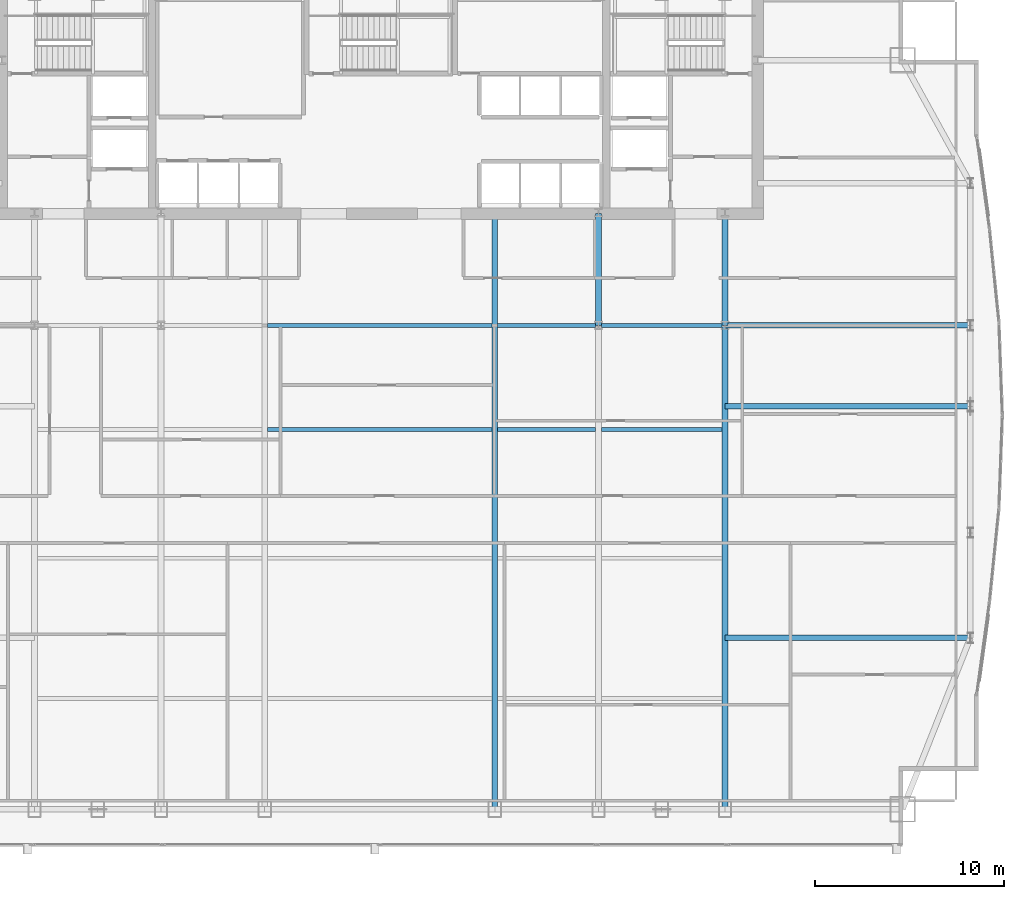
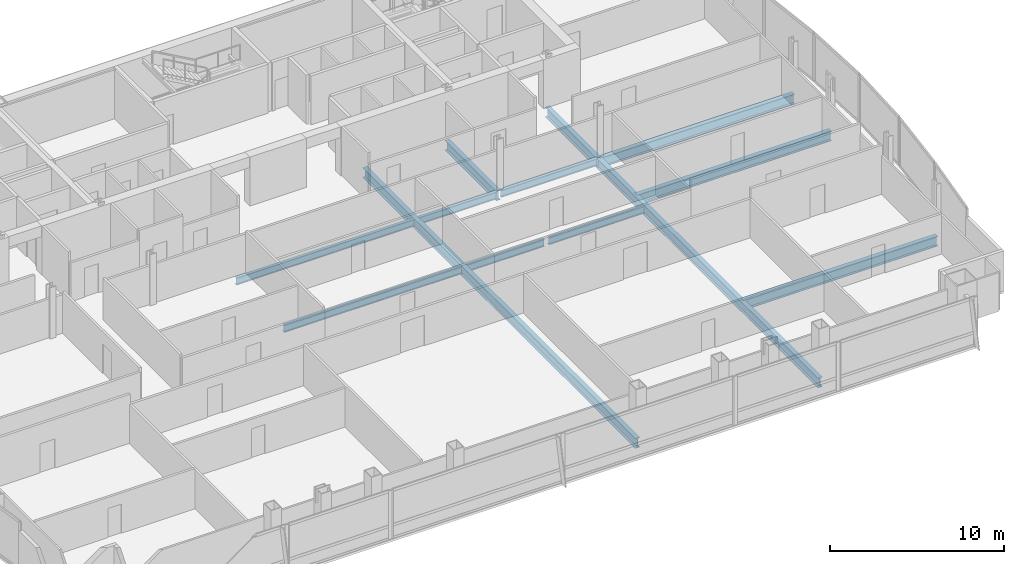
# One storey, part 16 of 29: 13 beams.
"""IFC4 building model written with IfcOpenShell, lengths in metres."""

from ifc_helpers import new_model, si_unit, direction, frame, origin, origin_2d, place, context, subcontext, project, spatial, i_section, extrude, material, material_profile, profile_set, type_object, element, save


model = new_model("IFC4")

# Units and contexts
model_context = context("Model", 3, precision=1e-05, world=origin(), true_north=direction((0.0, 1.0)))
body_context = subcontext(model_context, "Body", "Model", "MODEL_VIEW")
ifc_project = project(units=[si_unit("LENGTHUNIT", "METRE"), si_unit("AREAUNIT", "SQUARE_METRE"), si_unit("VOLUMEUNIT", "CUBIC_METRE"), si_unit("PLANEANGLEUNIT", "RADIAN"), si_unit("MASSUNIT", "GRAM", prefix="KILO")], contexts=[model_context])

# Site, building, storey
site_placement = place(None, origin())
site = spatial("IfcSite", under=ifc_project, at=site_placement, CompositionType="ELEMENT")
building_placement = place(site_placement, origin())
building = spatial("IfcBuilding", under=site, at=building_placement, Name="Khoronbel Lancet Exchange", CompositionType="ELEMENT")
storey_placement = place(building_placement, frame((0.0, 0.0, 177.0)))
storey = spatial("IfcBuildingStorey", under=building, at=storey_placement, Name="L44", CompositionType="ELEMENT", Elevation=177.0)

# Beams
ifc_material = material(Name="Steel S355", Category="steel")
ifc_material_profile_1 = material_profile(ifc_material, i_section(OverallWidth=0.300048828125, OverallDepth=0.699951171875, WebThickness=0.01708984375, FlangeThickness=0.031982421875, at=origin_2d()), Name="HEB 700")
ifc_profile_set_1 = profile_set([ifc_material_profile_1], Name="Steel S355")
beam_type_1 = type_object("IfcBeamType", Name="BM-BG3", PredefinedType="BEAM", material=ifc_profile_set_1)
beam_1_placement = place(storey_placement, frame((42.52490234375, 10.14990234375, -0.510009765625), z_axis=(0.0, 1.0, 0.0), x_axis=(-1.0, 0.0, 0.0)))
element("IfcBeam", 1, at=beam_1_placement, inside=storey, type_object=beam_type_1, Name="Level L44 primary floor girder G4", PredefinedType="BEAM", context=body_context, shape_type="SweptSolid", body=[
    extrude(i_section(OverallWidth=0.300048828125, OverallDepth=0.699951171875, WebThickness=0.01708984375, FlangeThickness=0.031982421875, at=origin_2d()), origin(), (0.0, 0.0, 1.0), 31.4501953125),
])
beam_2_placement = place(storey_placement, frame((48.0, 35.699951171875, -0.510009765625), z_axis=(0.0, 1.0, 0.0), x_axis=(-1.0, 0.0, 0.0)))
element("IfcBeam", 2, at=beam_2_placement, inside=storey, type_object=beam_type_1, Name="Level L44 spine tie girder GN5", PredefinedType="BEAM", context=body_context, shape_type="SweptSolid", body=[
    extrude(i_section(OverallWidth=0.300048828125, OverallDepth=0.699951171875, WebThickness=0.01708984375, FlangeThickness=0.031982421875, at=origin_2d()), origin(), (0.0, 0.0, 1.0), 5.900146484375),
])
beam_3_placement = place(storey_placement, frame((54.675048828125, 10.14990234375, -0.510009765625), z_axis=(0.0, 1.0, 0.0), x_axis=(-1.0, 0.0, 0.0)))
element("IfcBeam", 3, at=beam_3_placement, inside=storey, type_object=beam_type_1, Name="Level L44 south primary girder GS6", PredefinedType="BEAM", context=body_context, shape_type="SweptSolid", body=[
    extrude(i_section(OverallWidth=0.300048828125, OverallDepth=0.699951171875, WebThickness=0.01708984375, FlangeThickness=0.031982421875, at=origin_2d()), origin(), (0.0, 0.0, 1.0), 25.550048828125),
])
beam_4_placement = place(storey_placement, frame((54.675048828125, 35.699951171875, -0.510009765625), z_axis=(0.0, 1.0, 0.0), x_axis=(-1.0, 0.0, 0.0)))
element("IfcBeam", 4, at=beam_4_placement, inside=storey, type_object=beam_type_1, Name="Level L44 spine tie girder GN6", PredefinedType="BEAM", context=body_context, shape_type="SweptSolid", body=[
    extrude(i_section(OverallWidth=0.300048828125, OverallDepth=0.699951171875, WebThickness=0.01708984375, FlangeThickness=0.031982421875, at=origin_2d()), origin(), (0.0, 0.0, 1.0), 5.900146484375),
])
for number, where, z_axis, x_axis, name in (
    (5, (54.675048828125, 19.199951171875, -0.510009765625), (1.0, 0.0, 0.0), (0.0, 1.0, 0.0), "Level L44 east lens tie girder LG1E"),
    (6, (54.675048828125, 31.425048828125, -0.510009765625), (1.0, 0.0, 0.0), (0.0, 1.0, 0.0), "Level L44 east lens tie girder LG2E"),
    (7, (54.675048828125, 35.699951171875, -0.510009765625), (1.0, 0.0, 0.0), (0.0, 1.0, 0.0), "Level L44 east lens tie girder LG4E"),
):
    element("IfcBeam", number, at=place(storey_placement, frame(where, z_axis=z_axis, x_axis=x_axis)), inside=storey, type_object=beam_type_1, Name=name, PredefinedType="BEAM", context=body_context, shape_type="SweptSolid", body=[
        extrude(i_section(OverallWidth=0.300048828125, OverallDepth=0.699951171875, WebThickness=0.01708984375, FlangeThickness=0.031982421875, at=origin_2d()), origin(), (0.0, 0.0, 1.0), 12.954833984375),
    ])
ifc_material_profile_2 = material_profile(ifc_material, i_section(OverallWidth=0.199951171875, OverallDepth=0.5, WebThickness=0.01025390625, FlangeThickness=0.01611328125, at=origin_2d()), Name="IPE 500")
ifc_profile_set_2 = profile_set([ifc_material_profile_2], Name="Steel S355")
beam_type_2 = type_object("IfcBeamType", Name="BM-BJ3", PredefinedType="JOIST", material=ifc_profile_set_2)
beam_5_placement = place(storey_placement, frame((30.52490234375, 30.199951171875, -0.409912109375), z_axis=(1.0, 0.0, 0.0), x_axis=(0.0, 1.0, 0.0)))
element("IfcBeam", 8, at=beam_5_placement, inside=storey, type_object=beam_type_2, Name="Level L44 secondary composite joist J13", PredefinedType="JOIST", context=body_context, shape_type="SweptSolid", body=[
    extrude(i_section(OverallWidth=0.199951171875, OverallDepth=0.5, WebThickness=0.01025390625, FlangeThickness=0.01611328125, at=origin_2d()), origin(), (0.0, 0.0, 1.0), 11.85009765625),
])
beam_6_placement = place(storey_placement, frame((42.675048828125, 30.199951171875, -0.409912109375), z_axis=(1.0, 0.0, 0.0), x_axis=(0.0, 1.0, 0.0)))
element("IfcBeam", 9, at=beam_6_placement, inside=storey, type_object=beam_type_2, Name="Level L44 secondary composite joist J14", PredefinedType="JOIST", context=body_context, shape_type="SweptSolid", body=[
    extrude(i_section(OverallWidth=0.199951171875, OverallDepth=0.5, WebThickness=0.01025390625, FlangeThickness=0.01611328125, at=origin_2d()), origin(), (0.0, 0.0, 1.0), 5.175048828125),
])
beam_7_placement = place(storey_placement, frame((48.14990234375, 30.199951171875, -0.409912109375), z_axis=(1.0, 0.0, 0.0), x_axis=(0.0, 1.0, 0.0)))
element("IfcBeam", 10, at=beam_7_placement, inside=storey, type_object=beam_type_2, Name="Level L44 secondary composite joist J15", PredefinedType="JOIST", context=body_context, shape_type="SweptSolid", body=[
    extrude(i_section(OverallWidth=0.199951171875, OverallDepth=0.5, WebThickness=0.01025390625, FlangeThickness=0.01611328125, at=origin_2d()), origin(), (0.0, 0.0, 1.0), 6.375),
])
beam_8_placement = place(storey_placement, frame((30.52490234375, 35.699951171875, -0.409912109375), z_axis=(1.0, 0.0, 0.0), x_axis=(0.0, 1.0, 0.0)))
element("IfcBeam", 11, at=beam_8_placement, inside=storey, type_object=beam_type_2, Name="Level L44 secondary composite joist J18", PredefinedType="JOIST", context=body_context, shape_type="SweptSolid", body=[
    extrude(i_section(OverallWidth=0.199951171875, OverallDepth=0.5, WebThickness=0.01025390625, FlangeThickness=0.01611328125, at=origin_2d()), origin(), (0.0, 0.0, 1.0), 11.85009765625),
])
beam_9_placement = place(storey_placement, frame((42.675048828125, 35.699951171875, -0.409912109375), z_axis=(1.0, 0.0, 0.0), x_axis=(0.0, 1.0, 0.0)))
element("IfcBeam", 12, at=beam_9_placement, inside=storey, type_object=beam_type_2, Name="Level L44 secondary composite joist J19", PredefinedType="JOIST", context=body_context, shape_type="SweptSolid", body=[
    extrude(i_section(OverallWidth=0.199951171875, OverallDepth=0.5, WebThickness=0.01025390625, FlangeThickness=0.01611328125, at=origin_2d()), origin(), (0.0, 0.0, 1.0), 5.175048828125),
])
beam_10_placement = place(storey_placement, frame((48.14990234375, 35.699951171875, -0.409912109375), z_axis=(1.0, 0.0, 0.0), x_axis=(0.0, 1.0, 0.0)))
element("IfcBeam", 13, at=beam_10_placement, inside=storey, type_object=beam_type_2, Name="Level L44 secondary composite joist J20", PredefinedType="JOIST", context=body_context, shape_type="SweptSolid", body=[
    extrude(i_section(OverallWidth=0.199951171875, OverallDepth=0.5, WebThickness=0.01025390625, FlangeThickness=0.01611328125, at=origin_2d()), origin(), (0.0, 0.0, 1.0), 6.375),
])

save(model, "model.ifc")
